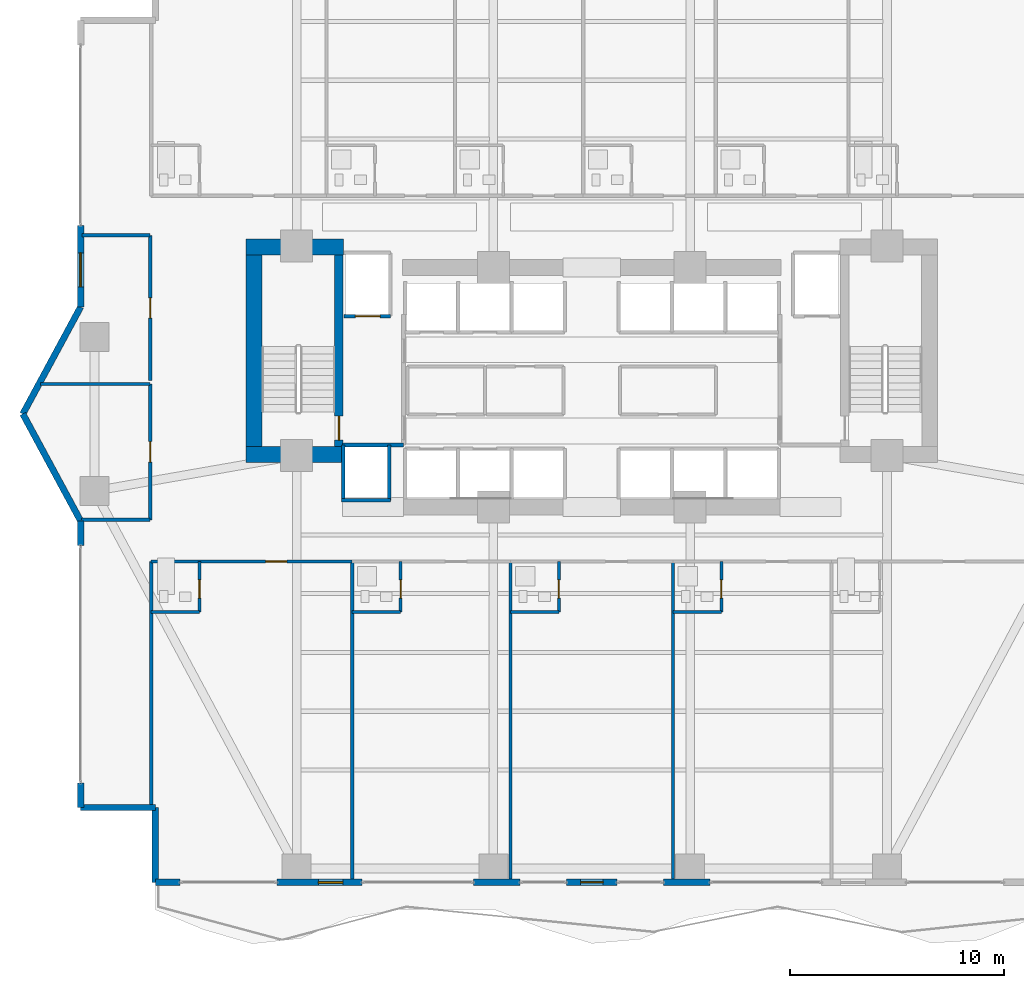
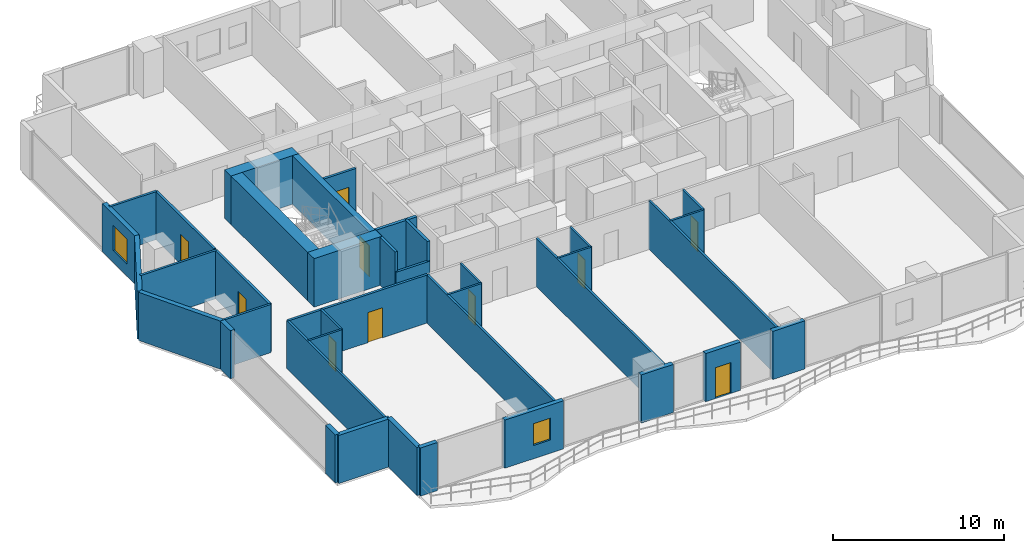
# One storey, part 21 of 29: 39 walls, 10 doors, 2 windows, 12 openings.
"""IFC4 building model written with IfcOpenShell, lengths in metres."""

from ifc_helpers import new_model, si_unit, direction, frame, frame_2d, origin, place, context, subcontext, project, spatial, rectangle, extrude, material, layer, layer_set, type_object, element, fill, save


model = new_model("IFC4")

# Units and contexts
model_context = context("Model", 3, precision=1e-05, world=origin(), true_north=direction((0.0, 1.0)))
body_context = subcontext(model_context, "Body", "Model", "MODEL_VIEW")
ifc_project = project(units=[si_unit("LENGTHUNIT", "METRE"), si_unit("AREAUNIT", "SQUARE_METRE"), si_unit("VOLUMEUNIT", "CUBIC_METRE"), si_unit("PLANEANGLEUNIT", "RADIAN"), si_unit("MASSUNIT", "GRAM", prefix="KILO")], contexts=[model_context])

# Site, building, storey
site_placement = place(None, origin())
site = spatial("IfcSite", under=ifc_project, at=site_placement, CompositionType="ELEMENT")
building_placement = place(site_placement, origin())
building = spatial("IfcBuilding", under=site, at=building_placement, Name="Zuhayl Quay Hotel", CompositionType="ELEMENT")
storey_placement = place(building_placement, frame((0.0, 0.0, 95.64990234375)))
storey = spatial("IfcBuildingStorey", under=building, at=storey_placement, Name="L23", CompositionType="ELEMENT", Elevation=95.64990234375)

# Walls
ifc_material_1 = material(Name="Concrete C60/75", Category="concrete")
ifc_layer_1 = layer(ifc_material_1, 0.75, Name="Concrete C60/75", Category="concrete")
ifc_layer_set_1 = layer_set([ifc_layer_1], Name="Concrete C60/75")
wall_type_1 = type_object("IfcWallType", Name="WL_CORE_750", PredefinedType="SHEAR", material=ifc_layer_set_1)
wall_1_placement = place(storey_placement, frame((-16.159912109375, 14.304931640625, 0.0), z_axis=(0.0, 0.0, 1.0), x_axis=(1.0, 0.0, 0.0)))
element("IfcWall", 1, at=wall_1_placement, inside=storey, type_object=wall_type_1, Name="L23 Core Shear Wall CW_NW", PredefinedType="SHEAR", context=body_context, shape_type="SweptSolid", body=[
    extrude(rectangle(XDim=4.559814453125, YDim=0.75, at=frame_2d((2.27978515625, 0.0))), origin(), (0.0, 0.0, 1.0), 3.460205078125),
])
wall_2_placement = place(storey_placement, frame((-15.784912109375, 4.969970703125, 0.0), z_axis=(0.0, 0.0, 1.0), x_axis=(0.0, 1.0, 0.0)))
element("IfcWall", 2, at=wall_2_placement, inside=storey, type_object=wall_type_1, Name="L23 Core Shear Wall CW_W", PredefinedType="SHEAR", context=body_context, shape_type="SweptSolid", body=[
    extrude(rectangle(XDim=8.9599609375, YDim=0.75, at=frame_2d((4.47998046875, 0.0))), origin(), (0.0, 0.0, 1.0), 3.460205078125),
])
wall_3_placement = place(storey_placement, frame((-16.159912109375, 4.594970703125, 0.0), z_axis=(0.0, 0.0, 1.0), x_axis=(1.0, 0.0, 0.0)))
element("IfcWall", 3, at=wall_3_placement, inside=storey, type_object=wall_type_1, Name="L23 Core Shear Wall CW_SW", PredefinedType="SHEAR", context=body_context, shape_type="SweptSolid", body=[
    extrude(rectangle(XDim=4.559814453125, YDim=0.75, at=frame_2d((2.27978515625, 0.0))), origin(), (0.0, 0.0, 1.0), 3.460205078125),
])
ifc_material_2 = material(Name="Precast concrete C45/55", Category="concrete")
ifc_layer_2 = layer(ifc_material_2, 0.300048828125, Name="Precast concrete C45/55", Category="concrete")
ifc_layer_set_2 = layer_set([ifc_layer_2], Name="Precast concrete C45/55")
wall_type_2 = type_object("IfcWallType", Name="WL_EXT_300", PredefinedType="STANDARD", material=ifc_layer_set_2)
wall_4_placement = place(storey_placement, frame((-20.39990234375, -11.89990234375, 0.0), z_axis=(0.0, 0.0, 1.0), x_axis=(-1.0, 0.0, 0.0)))
element("IfcWall", 4, at=wall_4_placement, inside=storey, type_object=wall_type_2, Name="L23 Exterior Precast Wall ENV_L23_EW01", PredefinedType="STANDARD", context=body_context, shape_type="SweptSolid", body=[
    extrude(rectangle(XDim=3.5, YDim=0.300048828125, at=frame_2d((1.75, 0.0))), origin(), (0.0, 0.0, 1.0), 3.43017578125),
])
for number, where, z_axis, x_axis, name in (
    (5, (-23.89990234375, -11.89990234375, 0.0), (0.0, 0.0, 1.0), (0.0, 1.0, 0.0), "L23 Exterior Precast Wall ENV_L23_E02_EW1"),
    (6, (-23.89990234375, 0.35009765625, 0.0), (0.0, 0.0, 1.0), (0.0, 1.0, 0.0), "L23 Exterior Precast Wall ENV_L23_E02_EW2"),
):
    element("IfcWall", number, at=place(storey_placement, frame(where, z_axis=z_axis, x_axis=x_axis)), inside=storey, type_object=wall_type_2, Name=name, PredefinedType="STANDARD", context=body_context, shape_type="SweptSolid", body=[
        extrude(rectangle(XDim=1.14990234375, YDim=0.300048828125, at=frame_2d((0.574951171875, 0.0))), origin(), (0.0, 0.0, 1.0), 3.43017578125),
    ])
for number, where, z_axis, x_axis, name in (
    (7, (-23.89990234375, 1.5, 0.0), (0.0, 0.0, 1.0), (-0.475175525499, 0.879891027325, 0.0), "L23 Exterior Precast Wall ENV_L23_EW03"),
    (8, (-26.60009765625, 6.5, 0.0), (0.0, 0.0, 1.0), (0.475175525499, 0.879891027325, 0.0), "L23 Exterior Precast Wall ENV_L23_EW04"),
):
    element("IfcWall", number, at=place(storey_placement, frame(where, z_axis=z_axis, x_axis=x_axis)), inside=storey, type_object=wall_type_2, Name=name, PredefinedType="STANDARD", context=body_context, shape_type="SweptSolid", body=[
        extrude(rectangle(XDim=5.6826171875, YDim=0.300048828125, at=frame_2d((2.84130859375, 0.0))), origin(), (0.0, 0.0, 1.0), 3.43017578125),
    ])

# Wall, opening, window
wall_5_placement = place(storey_placement, frame((-23.89990234375, 11.5, 0.0), z_axis=(0.0, 0.0, 1.0), x_axis=(0.0, 1.0, 0.0)))
wall_5 = element("IfcWall", 9, at=wall_5_placement, inside=storey, type_object=wall_type_2, Name="L23 Exterior Precast Wall ENV_L23_E05_EW1", PredefinedType="STANDARD", context=body_context, shape_type="SweptSolid", body=[
    extrude(rectangle(XDim=3.800048828125, YDim=0.300048828125, at=frame_2d((1.89990234375, 0.0))), origin(), (0.0, 0.0, 1.0), 3.43017578125),
])
opening_1_placement = place(wall_5_placement, frame((0.93505859375, 0.0, 0.85009765625)))
opening_1 = element("IfcOpeningElement", 10, at=opening_1_placement, cuts=wall_5, Name="Opening W01", PredefinedType="OPENING", context=body_context, shape_type="SweptSolid", body=[
    extrude(rectangle(XDim=1.60009765625, YDim=1.800048828125, at=frame_2d((0.800048828125, 0.89990234375))), frame((0.0, 0.159912109375, 0.0), z_axis=(0.0, -1.0, 0.0), x_axis=(1.0, 0.0, 0.0)), (0.0, 0.0, 1.0), 0.320068359375),
])
ifc_material_3 = material(Name="Dark Ceramic-Fritted Solar Glass", Category="glass")
window_type_1 = type_object("IfcWindowType", Name="WN_OPERABLE_1600", PartitioningType="DOUBLE_PANEL_VERTICAL", PredefinedType="WINDOW", material=ifc_material_3)
window_1_placement = place(opening_1_placement, origin())
window_1 = element("IfcWindow", 11, at=window_1_placement, inside=storey, type_object=window_type_1, Name="L23 Operable Facade Window 1-1", OverallHeight=1.800048828125, OverallWidth=1.60009765625, PartitioningType="SINGLE_PANEL", PredefinedType="WINDOW", context=body_context, shape_type="SweptSolid", body=[
    extrude(rectangle(XDim=1.60009765625, YDim=1.800048828125, at=frame_2d((0.800048828125, 0.89990234375))), frame((0.0, 0.030029296875, 0.0), z_axis=(0.0, -1.0, 0.0), x_axis=(1.0, 0.0, 0.0)), (0.0, 0.0, 1.0), 0.06005859375),
])
fill(opening_1, window_1)

# Wall
wall_6_placement = place(storey_placement, frame((5.52001953125, -15.39990234375, 0.0), z_axis=(0.0, 0.0, 1.0), x_axis=(-1.0, 0.0, 0.0)))
element("IfcWall", 12, at=wall_6_placement, inside=storey, type_object=wall_type_2, Name="L23 Exterior Precast Wall ENV_L23_S_EW3", PredefinedType="STANDARD", context=body_context, shape_type="SweptSolid", body=[
    extrude(rectangle(XDim=2.169921875, YDim=0.300048828125, at=frame_2d((1.0849609375, 0.0))), origin(), (0.0, 0.0, 1.0), 3.43017578125),
])

# Wall, opening, door
wall_7_placement = place(storey_placement, frame((1.175048828125, -15.39990234375, 0.0), z_axis=(0.0, 0.0, 1.0), x_axis=(-1.0, 0.0, 0.0)))
wall_7 = element("IfcWall", 13, at=wall_7_placement, inside=storey, type_object=wall_type_2, Name="L23 Exterior Precast Wall ENV_L23_S_EW4", PredefinedType="STANDARD", context=body_context, shape_type="SweptSolid", body=[
    extrude(rectangle(XDim=2.35009765625, YDim=0.300048828125, at=frame_2d((1.175048828125, 0.0))), origin(), (0.0, 0.0, 1.0), 3.43017578125),
])
opening_2_placement = place(wall_7_placement, frame((0.64990234375, 0.0, 0.0)))
opening_2 = element("IfcOpeningElement", 14, at=opening_2_placement, cuts=wall_7, Name="Opening DG1", PredefinedType="OPENING", context=body_context, shape_type="SweptSolid", body=[
    extrude(rectangle(XDim=1.050048828125, YDim=2.199951171875, at=frame_2d((0.52490234375, 1.10009765625))), frame((0.0, 0.159912109375, 0.0), z_axis=(0.0, -1.0, 0.0), x_axis=(1.0, 0.0, 0.0)), (0.0, 0.0, 1.0), 0.320068359375),
])
ifc_material_4 = material(Name="Anodised Aluminium and Dark Solar Glass", Category="aluminium")
door_type_1 = type_object("IfcDoorType", Name="DR_EXT_TERR_1050", OperationType="NOTDEFINED", PredefinedType="DOOR", material=ifc_material_4)
door_1_placement = place(opening_2_placement, origin())
door_1 = element("IfcDoor", 15, at=door_1_placement, inside=storey, type_object=door_type_1, Name="L23 South Rippling Balcony Door", OperationType="SINGLE_SWING_RIGHT", OverallHeight=2.199951171875, OverallWidth=1.050048828125, PredefinedType="DOOR", context=body_context, shape_type="SweptSolid", body=[
    extrude(rectangle(XDim=1.050048828125, YDim=2.199951171875, at=frame_2d((0.52490234375, 1.10009765625))), frame((0.0, 0.02490234375, 0.0), z_axis=(0.0, -1.0, 0.0), x_axis=(1.0, 0.0, 0.0)), (0.0, 0.0, 1.0), 0.050048828125),
])
fill(opening_2, door_1)

# Wall
wall_8_placement = place(storey_placement, frame((-3.35009765625, -15.39990234375, 0.0), z_axis=(0.0, 0.0, 1.0), x_axis=(-1.0, 0.0, 0.0)))
element("IfcWall", 16, at=wall_8_placement, inside=storey, type_object=wall_type_2, Name="L23 Exterior Precast Wall ENV_L23_S_EW5", PredefinedType="STANDARD", context=body_context, shape_type="SweptSolid", body=[
    extrude(rectangle(XDim=2.169921875, YDim=0.300048828125, at=frame_2d((1.0849609375, 0.0))), origin(), (0.0, 0.0, 1.0), 3.43017578125),
])

# Wall, opening, window
wall_9_placement = place(storey_placement, frame((-10.75, -15.39990234375, 0.0), z_axis=(0.0, 0.0, 1.0), x_axis=(-1.0, 0.0, 0.0)))
wall_9 = element("IfcWall", 17, at=wall_9_placement, inside=storey, type_object=wall_type_2, Name="L23 Exterior Precast Wall ENV_L23_S_EW6", PredefinedType="STANDARD", context=body_context, shape_type="SweptSolid", body=[
    extrude(rectangle(XDim=3.969970703125, YDim=0.300048828125, at=frame_2d((1.98486328125, 0.0))), origin(), (0.0, 0.0, 1.0), 3.43017578125),
])
opening_3_placement = place(wall_9_placement, frame((0.885009765625, 0.0, 0.949951171875)))
opening_3 = element("IfcOpeningElement", 18, at=opening_3_placement, cuts=wall_9, Name="Opening W01N", PredefinedType="OPENING", context=body_context, shape_type="SweptSolid", body=[
    extrude(rectangle(XDim=1.14990234375, YDim=1.550048828125, at=frame_2d((0.574951171875, 0.77490234375))), frame((0.0, 0.159912109375, 0.0), z_axis=(0.0, -1.0, 0.0), x_axis=(1.0, 0.0, 0.0)), (0.0, 0.0, 1.0), 0.320068359375),
])
window_type_2 = type_object("IfcWindowType", Name="WN_NOTCH_1350", PartitioningType="SINGLE_PANEL", PredefinedType="WINDOW", material=ifc_material_3)
window_2_placement = place(opening_3_placement, origin())
window_2 = element("IfcWindow", 19, at=window_2_placement, inside=storey, type_object=window_type_2, Name="L23 Operable Facade Window 6-1", OverallHeight=1.550048828125, OverallWidth=1.14990234375, PartitioningType="SINGLE_PANEL", PredefinedType="WINDOW", context=body_context, shape_type="SweptSolid", body=[
    extrude(rectangle(XDim=1.14990234375, YDim=1.550048828125, at=frame_2d((0.574951171875, 0.77490234375))), frame((0.0, 0.030029296875, 0.0), z_axis=(0.0, -1.0, 0.0), x_axis=(1.0, 0.0, 0.0)), (0.0, 0.0, 1.0), 0.06005859375),
])
fill(opening_3, window_2)

# Walls
wall_10_placement = place(storey_placement, frame((-19.25, -15.39990234375, 0.0), z_axis=(0.0, 0.0, 1.0), x_axis=(-1.0, 0.0, 0.0)))
element("IfcWall", 20, at=wall_10_placement, inside=storey, type_object=wall_type_2, Name="L23 Exterior Precast Wall ENV_L23_S_EW7", PredefinedType="STANDARD", context=body_context, shape_type="SweptSolid", body=[
    extrude(rectangle(XDim=1.14990234375, YDim=0.300048828125, at=frame_2d((0.574951171875, 0.0))), origin(), (0.0, 0.0, 1.0), 3.43017578125),
])
wall_11_placement = place(storey_placement, frame((-20.39990234375, -15.39990234375, 0.0), z_axis=(0.0, 0.0, 1.0), x_axis=(0.0, 1.0, 0.0)))
element("IfcWall", 21, at=wall_11_placement, inside=storey, type_object=wall_type_2, Name="L23 Exterior Precast Wall ENV_L23_EW18", PredefinedType="STANDARD", context=body_context, shape_type="SweptSolid", body=[
    extrude(rectangle(XDim=3.5, YDim=0.300048828125, at=frame_2d((1.75, 0.0))), origin(), (0.0, 0.0, 1.0), 3.43017578125),
])
ifc_material_5 = material(Name="Acoustic Gypsum Partition STC-58")
ifc_layer_3 = layer(ifc_material_5, 0.14990234375, Name="Acoustic Gypsum Partition STC-58")
ifc_layer_set_3 = layer_set([ifc_layer_3], Name="Acoustic Gypsum Partition STC-58")
wall_type_3 = type_object("IfcWallType", Name="WL_PART_150", PredefinedType="PARTITIONING", material=ifc_layer_set_3)
wall_12_placement = place(storey_placement, frame((-20.60009765625, -11.89990234375, 0.0), z_axis=(0.0, 0.0, 1.0), x_axis=(0.0, 1.0, 0.0)))
element("IfcWall", 22, at=wall_12_placement, inside=storey, type_object=wall_type_3, Name="L23 Partition IW_L23_SU01_W", PredefinedType="PARTITIONING", context=body_context, shape_type="SweptSolid", body=[
    extrude(rectangle(XDim=11.5, YDim=0.14990234375, at=frame_2d((5.75, 0.0))), origin(), (0.0, 0.0, 1.0), 3.43017578125),
])
for number, where, z_axis, x_axis, name in (
    (23, (-11.199951171875, -15.320068359375, 0.0), (0.0, 0.0, 1.0), (0.0, 1.0, 0.0), "L23 Partition IW_L23_SU01_E"),
    (24, (-3.800048828125, -15.320068359375, 0.0), (0.0, 0.0, 1.0), (0.0, 1.0, 0.0), "L23 Partition IW_L23_SU02_E"),
    (25, (3.800048828125, -15.320068359375, 0.0), (0.0, 0.0, 1.0), (0.0, 1.0, 0.0), "L23 Partition IW_L23_SU03_E"),
):
    element("IfcWall", number, at=place(storey_placement, frame(where, z_axis=z_axis, x_axis=x_axis)), inside=storey, type_object=wall_type_3, Name=name, PredefinedType="PARTITIONING", context=body_context, shape_type="SweptSolid", body=[
        extrude(rectangle(XDim=14.920166015625, YDim=0.14990234375, at=frame_2d((7.4599609375, 0.0))), origin(), (0.0, 0.0, 1.0), 3.43017578125),
    ])
wall_13_placement = place(storey_placement, frame((-23.866943359375, 1.550048828125, 0.0), z_axis=(0.0, 0.0, 1.0), x_axis=(1.0, 0.0, 0.0)))
element("IfcWall", 26, at=wall_13_placement, inside=storey, type_object=wall_type_3, Name="L23 Partition IW_L23_WPROW_1_S", PredefinedType="PARTITIONING", context=body_context, shape_type="SweptSolid", body=[
    extrude(rectangle(XDim=3.217041015625, YDim=0.14990234375, at=frame_2d((1.6083984375, 0.0))), origin(), (0.0, 0.0, 1.0), 3.43017578125),
])
wall_14_placement = place(storey_placement, frame((-25.783935546875, 7.89990234375, 0.0), z_axis=(0.0, 0.0, 1.0), x_axis=(1.0, 0.0, 0.0)))
element("IfcWall", 27, at=wall_14_placement, inside=storey, type_object=wall_type_3, Name="L23 Partition IW_L23_WPROW_1_N", PredefinedType="PARTITIONING", context=body_context, shape_type="SweptSolid", body=[
    extrude(rectangle(XDim=5.134033203125, YDim=0.14990234375, at=frame_2d((2.56689453125, 0.0))), origin(), (0.0, 0.0, 1.0), 3.43017578125),
])
wall_15_placement = place(storey_placement, frame((-23.840087890625, 14.85009765625, 0.0), z_axis=(0.0, 0.0, 1.0), x_axis=(1.0, 0.0, 0.0)))
element("IfcWall", 28, at=wall_15_placement, inside=storey, type_object=wall_type_3, Name="L23 Partition IW_L23_WPROW_2_N", PredefinedType="PARTITIONING", context=body_context, shape_type="SweptSolid", body=[
    extrude(rectangle(XDim=3.190185546875, YDim=0.14990234375, at=frame_2d((1.59521484375, 0.0))), origin(), (0.0, 0.0, 1.0), 3.43017578125),
])

# Wall, opening, door
ifc_layer_4 = layer(ifc_material_5, 0.159912109375, Name="Acoustic Gypsum Partition STC-58")
ifc_layer_set_4 = layer_set([ifc_layer_4], Name="Acoustic Gypsum Partition STC-58")
wall_type_4 = type_object("IfcWallType", Name="WL_PART_CORR_160", PredefinedType="PARTITIONING", material=ifc_layer_set_4)
wall_16_placement = place(storey_placement, frame((-20.60009765625, -0.39990234375, 0.0), z_axis=(0.0, 0.0, 1.0), x_axis=(1.0, 0.0, 0.0)))
wall_16 = element("IfcWall", 29, at=wall_16_placement, inside=storey, type_object=wall_type_4, Name="L23 Partition IW_L23_SU01_COR", PredefinedType="PARTITIONING", context=body_context, shape_type="SweptSolid", body=[
    extrude(rectangle(XDim=9.400146484375, YDim=0.159912109375, at=frame_2d((4.7001953125, 0.0))), origin(), (0.0, 0.0, 1.0), 3.43017578125),
])
opening_4_placement = place(wall_16_placement, frame((5.35009765625, 0.0, 0.0)))
opening_4 = element("IfcOpeningElement", 30, at=opening_4_placement, cuts=wall_16, Name="Opening D03L", PredefinedType="OPENING", context=body_context, shape_type="SweptSolid", body=[
    extrude(rectangle(XDim=1.0, YDim=2.14990234375, at=frame_2d((0.5, 1.074951171875))), frame((0.0, 0.08984375, 0.0), z_axis=(0.0, -1.0, 0.0), x_axis=(1.0, 0.0, 0.0)), (0.0, 0.0, 1.0), 0.179931640625),
])
ifc_material_6 = material(Name="Solid Walnut Acoustic Fire Door")
door_type_2 = type_object("IfcDoorType", Name="DR_SUITE_1000", OperationType="NOTDEFINED", PredefinedType="DOOR", material=ifc_material_6)
door_2_placement = place(opening_4_placement, origin())
door_2 = element("IfcDoor", 31, at=door_2_placement, inside=storey, type_object=door_type_2, Name="L23 City-View Junior Suite L23-01 Entrance Door", OperationType="SINGLE_SWING_LEFT", OverallHeight=2.14990234375, OverallWidth=1.0, PredefinedType="DOOR", context=body_context, shape_type="SweptSolid", body=[
    extrude(rectangle(XDim=1.0, YDim=2.14990234375, at=frame_2d((0.5, 1.074951171875))), frame((0.0, 0.02490234375, 0.0), z_axis=(0.0, -1.0, 0.0), x_axis=(1.0, 0.0, 0.0)), (0.0, 0.0, 1.0), 0.050048828125),
])
fill(opening_4, door_2)

wall_17_placement = place(storey_placement, frame((-20.64990234375, 1.550048828125, 0.0), z_axis=(0.0, 0.0, 1.0), x_axis=(0.0, 1.0, 0.0)))
wall_17 = element("IfcWall", 32, at=wall_17_placement, inside=storey, type_object=wall_type_4, Name="L23 Partition IW_L23_WPROW_1_E", PredefinedType="PARTITIONING", context=body_context, shape_type="SweptSolid", body=[
    extrude(rectangle(XDim=6.349853515625, YDim=0.159912109375, at=frame_2d((3.1748046875, 0.0))), origin(), (0.0, 0.0, 1.0), 3.43017578125),
])
opening_5_placement = place(wall_17_placement, frame((2.699951171875, 0.0, 0.0)))
opening_5 = element("IfcOpeningElement", 33, at=opening_5_placement, cuts=wall_17, Name="Opening D03", PredefinedType="OPENING", context=body_context, shape_type="SweptSolid", body=[
    extrude(rectangle(XDim=0.949951171875, YDim=2.14990234375, at=frame_2d((0.47509765625, 1.074951171875))), frame((0.0, 0.08984375, 0.0), z_axis=(0.0, -1.0, 0.0), x_axis=(1.0, 0.0, 0.0)), (0.0, 0.0, 1.0), 0.179931640625),
])
door_type_3 = type_object("IfcDoorType", Name="DR_SUITE_950", OperationType="NOTDEFINED", PredefinedType="DOOR", material=ifc_material_6)
door_3_placement = place(opening_5_placement, origin())
door_3 = element("IfcDoor", 34, at=door_3_placement, inside=storey, type_object=door_type_3, Name="L23 West Prow Office L23 Door", OperationType="SINGLE_SWING_RIGHT", OverallHeight=2.14990234375, OverallWidth=0.949951171875, PredefinedType="DOOR", context=body_context, shape_type="SweptSolid", body=[
    extrude(rectangle(XDim=0.949951171875, YDim=2.14990234375, at=frame_2d((0.47509765625, 1.074951171875))), frame((0.0, 0.02490234375, 0.0), z_axis=(0.0, -1.0, 0.0), x_axis=(1.0, 0.0, 0.0)), (0.0, 0.0, 1.0), 0.050048828125),
])
fill(opening_5, door_3)

wall_18_placement = place(storey_placement, frame((-20.64990234375, 8.06005859375, 0.0), z_axis=(0.0, 0.0, 1.0), x_axis=(0.0, 1.0, 0.0)))
wall_18 = element("IfcWall", 35, at=wall_18_placement, inside=storey, type_object=wall_type_4, Name="L23 Partition IW_L23_WPROW_2_E", PredefinedType="PARTITIONING", context=body_context, shape_type="SweptSolid", body=[
    extrude(rectangle(XDim=6.7900390625, YDim=0.159912109375, at=frame_2d((3.39501953125, 0.0))), origin(), (0.0, 0.0, 1.0), 3.43017578125),
])
opening_6_placement = place(wall_18_placement, frame((2.919921875, 0.0, 0.0)))
opening_6 = element("IfcOpeningElement", 36, at=opening_6_placement, cuts=wall_18, Name="Opening D03", PredefinedType="OPENING", context=body_context, shape_type="SweptSolid", body=[
    extrude(rectangle(XDim=0.949951171875, YDim=2.14990234375, at=frame_2d((0.47509765625, 1.074951171875))), frame((0.0, 0.08984375, 0.0), z_axis=(0.0, -1.0, 0.0), x_axis=(1.0, 0.0, 0.0)), (0.0, 0.0, 1.0), 0.179931640625),
])
door_4_placement = place(opening_6_placement, origin())
door_4 = element("IfcDoor", 37, at=door_4_placement, inside=storey, type_object=door_type_3, Name="L23 Sunset Lounge L23 Door", OperationType="SINGLE_SWING_LEFT", OverallHeight=2.14990234375, OverallWidth=0.949951171875, PredefinedType="DOOR", context=body_context, shape_type="SweptSolid", body=[
    extrude(rectangle(XDim=0.949951171875, YDim=2.14990234375, at=frame_2d((0.47509765625, 1.074951171875))), frame((0.0, 0.02490234375, 0.0), z_axis=(0.0, -1.0, 0.0), x_axis=(1.0, 0.0, 0.0)), (0.0, 0.0, 1.0), 0.050048828125),
])
fill(opening_6, door_4)

ifc_material_7 = material(Name="Moisture-Resistant Sanitarychase Gypsum")
ifc_layer_5 = layer(ifc_material_7, 0.135009765625, Name="Moisture-Resistant Sanitarychase Gypsum")
ifc_layer_set_5 = layer_set([ifc_layer_5], Name="Moisture-Resistant Sanitarychase Gypsum")
wall_type_5 = type_object("IfcWallType", Name="WL_PART_PLUMB_150", PredefinedType="PLUMBINGWALL", material=ifc_layer_set_5)
wall_19_placement = place(storey_placement, frame((-18.340087890625, -2.760009765625, 0.0), z_axis=(0.0, 0.0, 1.0), x_axis=(0.0, 1.0, 0.0)))
wall_19 = element("IfcWall", 38, at=wall_19_placement, inside=storey, type_object=wall_type_5, Name="L23 Partition IW_L23_SU01_BE", PredefinedType="PLUMBINGWALL", context=body_context, shape_type="SweptSolid", body=[
    extrude(rectangle(XDim=2.360107421875, YDim=0.135009765625, at=frame_2d((1.18017578125, 0.0))), origin(), (0.0, 0.0, 1.0), 3.43017578125),
])
opening_7_placement = place(wall_19_placement, frame((0.64990234375, 0.0, 0.0)))
opening_7 = element("IfcOpeningElement", 39, at=opening_7_placement, cuts=wall_19, Name="Opening D04", PredefinedType="OPENING", context=body_context, shape_type="SweptSolid", body=[
    extrude(rectangle(XDim=0.85009765625, YDim=2.10009765625, at=frame_2d((0.425048828125, 1.050048828125))), frame((0.0, 0.077392578125, 0.0), z_axis=(0.0, -1.0, 0.0), x_axis=(1.0, 0.0, 0.0)), (0.0, 0.0, 1.0), 0.155029296875),
])
ifc_material_8 = material(Name="Moisture-Resistant Walnut Veneer")
door_type_4 = type_object("IfcDoorType", Name="DR_BATH_850", OperationType="NOTDEFINED", PredefinedType="DOOR", material=ifc_material_8)
door_5_placement = place(opening_7_placement, origin())
door_5 = element("IfcDoor", 40, at=door_5_placement, inside=storey, type_object=door_type_4, Name="L23 City-View Junior Suite L23-01 En-Suite Door", OperationType="SINGLE_SWING_RIGHT", OverallHeight=2.10009765625, OverallWidth=0.85009765625, PredefinedType="DOOR", context=body_context, shape_type="SweptSolid", body=[
    extrude(rectangle(XDim=0.85009765625, YDim=2.10009765625, at=frame_2d((0.425048828125, 1.050048828125))), frame((0.0, 0.02490234375, 0.0), z_axis=(0.0, -1.0, 0.0), x_axis=(1.0, 0.0, 0.0)), (0.0, 0.0, 1.0), 0.050048828125),
])
fill(opening_7, door_5)

wall_20_placement = place(storey_placement, frame((-8.93994140625, -2.760009765625, 0.0), z_axis=(0.0, 0.0, 1.0), x_axis=(0.0, 1.0, 0.0)))
wall_20 = element("IfcWall", 41, at=wall_20_placement, inside=storey, type_object=wall_type_5, Name="L23 Partition IW_L23_SU02_BE", PredefinedType="PLUMBINGWALL", context=body_context, shape_type="SweptSolid", body=[
    extrude(rectangle(XDim=2.360107421875, YDim=0.135009765625, at=frame_2d((1.18017578125, 0.0))), origin(), (0.0, 0.0, 1.0), 3.43017578125),
])
opening_8_placement = place(wall_20_placement, frame((0.64990234375, 0.0, 0.0)))
opening_8 = element("IfcOpeningElement", 42, at=opening_8_placement, cuts=wall_20, Name="Opening D04", PredefinedType="OPENING", context=body_context, shape_type="SweptSolid", body=[
    extrude(rectangle(XDim=0.85009765625, YDim=2.10009765625, at=frame_2d((0.425048828125, 1.050048828125))), frame((0.0, 0.077392578125, 0.0), z_axis=(0.0, -1.0, 0.0), x_axis=(1.0, 0.0, 0.0)), (0.0, 0.0, 1.0), 0.155029296875),
])
door_6_placement = place(opening_8_placement, origin())
door_6 = element("IfcDoor", 43, at=door_6_placement, inside=storey, type_object=door_type_4, Name="L23 City-View Junior Suite L23-02 En-Suite Door", OperationType="SINGLE_SWING_RIGHT", OverallHeight=2.10009765625, OverallWidth=0.85009765625, PredefinedType="DOOR", context=body_context, shape_type="SweptSolid", body=[
    extrude(rectangle(XDim=0.85009765625, YDim=2.10009765625, at=frame_2d((0.425048828125, 1.050048828125))), frame((0.0, 0.02490234375, 0.0), z_axis=(0.0, -1.0, 0.0), x_axis=(1.0, 0.0, 0.0)), (0.0, 0.0, 1.0), 0.050048828125),
])
fill(opening_8, door_6)

wall_21_placement = place(storey_placement, frame((-1.5400390625, -2.760009765625, 0.0), z_axis=(0.0, 0.0, 1.0), x_axis=(0.0, 1.0, 0.0)))
wall_21 = element("IfcWall", 44, at=wall_21_placement, inside=storey, type_object=wall_type_5, Name="L23 Partition IW_L23_SU03_BE", PredefinedType="PLUMBINGWALL", context=body_context, shape_type="SweptSolid", body=[
    extrude(rectangle(XDim=2.360107421875, YDim=0.135009765625, at=frame_2d((1.18017578125, 0.0))), origin(), (0.0, 0.0, 1.0), 3.43017578125),
])
opening_9_placement = place(wall_21_placement, frame((0.64990234375, 0.0, 0.0)))
opening_9 = element("IfcOpeningElement", 45, at=opening_9_placement, cuts=wall_21, Name="Opening D04", PredefinedType="OPENING", context=body_context, shape_type="SweptSolid", body=[
    extrude(rectangle(XDim=0.85009765625, YDim=2.10009765625, at=frame_2d((0.425048828125, 1.050048828125))), frame((0.0, 0.077392578125, 0.0), z_axis=(0.0, -1.0, 0.0), x_axis=(1.0, 0.0, 0.0)), (0.0, 0.0, 1.0), 0.155029296875),
])
door_7_placement = place(opening_9_placement, origin())
door_7 = element("IfcDoor", 46, at=door_7_placement, inside=storey, type_object=door_type_4, Name="L23 City-View Junior Suite L23-03 En-Suite Door", OperationType="SINGLE_SWING_RIGHT", OverallHeight=2.10009765625, OverallWidth=0.85009765625, PredefinedType="DOOR", context=body_context, shape_type="SweptSolid", body=[
    extrude(rectangle(XDim=0.85009765625, YDim=2.10009765625, at=frame_2d((0.425048828125, 1.050048828125))), frame((0.0, 0.02490234375, 0.0), z_axis=(0.0, -1.0, 0.0), x_axis=(1.0, 0.0, 0.0)), (0.0, 0.0, 1.0), 0.050048828125),
])
fill(opening_9, door_7)

wall_22_placement = place(storey_placement, frame((6.06005859375, -2.760009765625, 0.0), z_axis=(0.0, 0.0, 1.0), x_axis=(0.0, 1.0, 0.0)))
wall_22 = element("IfcWall", 47, at=wall_22_placement, inside=storey, type_object=wall_type_5, Name="L23 Partition IW_L23_SU04_BE", PredefinedType="PLUMBINGWALL", context=body_context, shape_type="SweptSolid", body=[
    extrude(rectangle(XDim=2.360107421875, YDim=0.135009765625, at=frame_2d((1.18017578125, 0.0))), origin(), (0.0, 0.0, 1.0), 3.43017578125),
])
opening_10_placement = place(wall_22_placement, frame((0.64990234375, 0.0, 0.0)))
opening_10 = element("IfcOpeningElement", 48, at=opening_10_placement, cuts=wall_22, Name="Opening D04", PredefinedType="OPENING", context=body_context, shape_type="SweptSolid", body=[
    extrude(rectangle(XDim=0.85009765625, YDim=2.10009765625, at=frame_2d((0.425048828125, 1.050048828125))), frame((0.0, 0.077392578125, 0.0), z_axis=(0.0, -1.0, 0.0), x_axis=(1.0, 0.0, 0.0)), (0.0, 0.0, 1.0), 0.155029296875),
])
door_8_placement = place(opening_10_placement, origin())
door_8 = element("IfcDoor", 49, at=door_8_placement, inside=storey, type_object=door_type_4, Name="L23 City-View Junior Suite L23-04 En-Suite Door", OperationType="SINGLE_SWING_RIGHT", OverallHeight=2.10009765625, OverallWidth=0.85009765625, PredefinedType="DOOR", context=body_context, shape_type="SweptSolid", body=[
    extrude(rectangle(XDim=0.85009765625, YDim=2.10009765625, at=frame_2d((0.425048828125, 1.050048828125))), frame((0.0, 0.02490234375, 0.0), z_axis=(0.0, -1.0, 0.0), x_axis=(1.0, 0.0, 0.0)), (0.0, 0.0, 1.0), 0.050048828125),
])
fill(opening_10, door_8)

# Walls
for number, where, z_axis, x_axis, name in (
    (50, (-20.60009765625, -2.760009765625, 0.0), (0.0, 0.0, 1.0), (1.0, 0.0, 0.0), "L23 Partition IW_L23_SU01_BS"),
    (51, (-11.199951171875, -2.760009765625, 0.0), (0.0, 0.0, 1.0), (1.0, 0.0, 0.0), "L23 Partition IW_L23_SU02_BS"),
    (52, (-3.800048828125, -2.760009765625, 0.0), (0.0, 0.0, 1.0), (1.0, 0.0, 0.0), "L23 Partition IW_L23_SU03_BS"),
    (53, (3.800048828125, -2.760009765625, 0.0), (0.0, 0.0, 1.0), (1.0, 0.0, 0.0), "L23 Partition IW_L23_SU04_BS"),
):
    element("IfcWall", number, at=place(storey_placement, frame(where, z_axis=z_axis, x_axis=x_axis)), inside=storey, type_object=wall_type_5, Name=name, PredefinedType="PLUMBINGWALL", context=body_context, shape_type="SweptSolid", body=[
        extrude(rectangle(XDim=2.260009765625, YDim=0.135009765625, at=frame_2d((1.1298828125, 0.0))), origin(), (0.0, 0.0, 1.0), 3.43017578125),
    ])

# Wall, opening, door
ifc_material_9 = material(Name="Gypsum Fireboard Assembly EI-90")
ifc_layer_6 = layer(ifc_material_9, 0.1650390625, Name="Gypsum Fireboard Assembly EI-90")
ifc_layer_set_6 = layer_set([ifc_layer_6], Name="Gypsum Fireboard Assembly EI-90")
wall_type_6 = type_object("IfcWallType", Name="WL_PART_SHAFT_160", PredefinedType="PARTITIONING", material=ifc_layer_set_6)
wall_23_placement = place(storey_placement, frame((-11.580078125, 11.070068359375, 0.0), z_axis=(0.0, 0.0, 1.0), x_axis=(1.0, 0.0, 0.0)))
wall_23 = element("IfcWall", 54, at=wall_23_placement, inside=storey, type_object=wall_type_6, Name="L23 Partition IW_L23_SH_FL1_F", PredefinedType="PARTITIONING", context=body_context, shape_type="SweptSolid", body=[
    extrude(rectangle(XDim=2.16015625, YDim=0.1650390625, at=frame_2d((1.080078125, 0.0))), origin(), (0.0, 0.0, 1.0), 3.43017578125),
])
opening_11_placement = place(wall_23_placement, frame((0.530029296875, 0.0, 0.0)))
opening_11 = element("IfcOpeningElement", 55, at=opening_11_placement, cuts=wall_23, Name="Opening LD2", PredefinedType="OPENING", context=body_context, shape_type="SweptSolid", body=[
    extrude(rectangle(XDim=1.14990234375, YDim=2.25, at=frame_2d((0.574951171875, 1.125))), frame((0.0, 0.092529296875, 0.0), z_axis=(0.0, -1.0, 0.0), x_axis=(1.0, 0.0, 0.0)), (0.0, 0.0, 1.0), 0.18505859375),
])
ifc_material_10 = material(Name="Brushed Stainless Steel", Category="steel")
door_type_5 = type_object("IfcDoorType", Name="DR_LIFT_FF_1100", OperationType="SLIDING_TO_LEFT", PredefinedType="DOOR", material=ifc_material_10)
door_9_placement = place(opening_11_placement, origin())
door_9 = element("IfcDoor", 56, at=door_9_placement, inside=storey, type_object=door_type_5, Name="L23 Lift FL1 Sliding Landing Door", OperationType="SLIDING_TO_LEFT", OverallHeight=2.25, OverallWidth=1.14990234375, PredefinedType="DOOR", context=body_context, shape_type="SweptSolid", body=[
    extrude(rectangle(XDim=1.14990234375, YDim=2.25, at=frame_2d((0.574951171875, 1.125))), frame((0.0, 0.02490234375, 0.0), z_axis=(0.0, -1.0, 0.0), x_axis=(1.0, 0.0, 0.0)), (0.0, 0.0, 1.0), 0.050048828125),
])
fill(opening_11, door_9)

# Walls
wall_24_placement = place(storey_placement, frame((-11.6298828125, 2.469970703125, 0.0), z_axis=(0.0, 0.0, 1.0), x_axis=(0.0, 1.0, 0.0)))
element("IfcWall", 57, at=wall_24_placement, inside=storey, type_object=wall_type_6, Name="L23 Partition IW_L23_RISER_W", PredefinedType="PARTITIONING", context=body_context, shape_type="SweptSolid", body=[
    extrude(rectangle(XDim=2.580078125, YDim=0.1650390625, at=frame_2d((1.2900390625, 0.0))), origin(), (0.0, 0.0, 1.0), 3.43017578125),
])
wall_25_placement = place(storey_placement, frame((-11.7099609375, 2.469970703125, 0.0), z_axis=(0.0, 0.0, 1.0), x_axis=(1.0, 0.0, 0.0)))
element("IfcWall", 58, at=wall_25_placement, inside=storey, type_object=wall_type_6, Name="L23 Partition IW_L23_RISER_S", PredefinedType="PARTITIONING", context=body_context, shape_type="SweptSolid", body=[
    extrude(rectangle(XDim=2.31005859375, YDim=0.1650390625, at=frame_2d((1.155029296875, 0.0))), origin(), (0.0, 0.0, 1.0), 2.030029296875),
])
ifc_layer_7 = layer(ifc_material_9, 0.179931640625, Name="Gypsum Fireboard Assembly EI-90")
ifc_layer_set_7 = layer_set([ifc_layer_7], Name="Gypsum Fireboard Assembly EI-90")
wall_type_7 = type_object("IfcWallType", Name="WL_PART_SHAFT_180", PredefinedType="PARTITIONING", material=ifc_layer_set_7)
wall_26_placement = place(storey_placement, frame((-9.469970703125, 2.449951171875, 0.0), z_axis=(0.0, 0.0, 1.0), x_axis=(0.0, 1.0, 0.0)))
element("IfcWall", 59, at=wall_26_placement, inside=storey, type_object=wall_type_7, Name="L23 Partition IW_L23_RISER_E", PredefinedType="PARTITIONING", context=body_context, shape_type="SweptSolid", body=[
    extrude(rectangle(XDim=2.60009765625, YDim=0.179931640625, at=frame_2d((1.300048828125, 0.0))), origin(), (0.0, 0.0, 1.0), 3.43017578125),
])
ifc_material_11 = material(Name="Gypsum Fireboard Assembly EI-120")
ifc_layer_8 = layer(ifc_material_11, 0.199951171875, Name="Gypsum Fireboard Assembly EI-120")
ifc_layer_set_8 = layer_set([ifc_layer_8], Name="Gypsum Fireboard Assembly EI-120")
wall_type_8 = type_object("IfcWallType", Name="WL_PART_SHAFT_200", PredefinedType="PARTITIONING", material=ifc_layer_set_8)
wall_27_placement = place(storey_placement, frame((-11.64990234375, 5.050048828125, 0.0), z_axis=(0.0, 0.0, 1.0), x_axis=(1.0, 0.0, 0.0)))
element("IfcWall", 60, at=wall_27_placement, inside=storey, type_object=wall_type_8, Name="L23 Partition IW_L23_FSAE_W_S", PredefinedType="PARTITIONING", context=body_context, shape_type="SweptSolid", body=[
    extrude(rectangle(XDim=2.849853515625, YDim=0.199951171875, at=frame_2d((1.4248046875, 0.0))), origin(), (0.0, 0.0, 1.0), 3.43017578125),
])

# Wall, opening, door
ifc_layer_9 = layer(ifc_material_1, 0.39990234375, Name="Concrete C60/75", Category="concrete")
ifc_layer_set_9 = layer_set([ifc_layer_9], Name="Concrete C60/75")
wall_type_9 = type_object("IfcWallType", Name="WL_STAIR_400", PredefinedType="SHEAR", material=ifc_layer_set_9)
wall_28_placement = place(storey_placement, frame((-11.820068359375, 4.969970703125, 0.0), z_axis=(0.0, 0.0, 1.0), x_axis=(0.0, 1.0, 0.0)))
wall_28 = element("IfcWall", 61, at=wall_28_placement, inside=storey, type_object=wall_type_9, Name="L23 Core Shear Wall SW_ST1", PredefinedType="SHEAR", context=body_context, shape_type="SweptSolid", body=[
    extrude(rectangle(XDim=8.9599609375, YDim=0.39990234375, at=frame_2d((4.47998046875, 0.0))), origin(), (0.0, 0.0, 1.0), 3.460205078125),
])
opening_12_placement = place(wall_28_placement, frame((0.31005859375, 0.0, 0.0)))
opening_12 = element("IfcOpeningElement", 62, at=opening_12_placement, cuts=wall_28, Name="Opening D01", PredefinedType="OPENING", context=body_context, shape_type="SweptSolid", body=[
    extrude(rectangle(XDim=1.1201171875, YDim=2.219970703125, at=frame_2d((0.56005859375, 1.10986328125))), frame((0.0, 0.2099609375, 0.0), z_axis=(0.0, -1.0, 0.0), x_axis=(1.0, 0.0, 0.0)), (0.0, 0.0, 1.0), 0.419921875),
])
ifc_material_12 = material(Name="Steel ASTM A992 Grade 50", Category="steel")
door_type_6 = type_object("IfcDoorType", Name="DR_STAIR_90_1100", OperationType="NOTDEFINED", PredefinedType="DOOR", material=ifc_material_12)
door_10_placement = place(opening_12_placement, origin())
door_10 = element("IfcDoor", 63, at=door_10_placement, inside=storey, type_object=door_type_6, Name="L23 Smokeproof Exit Stair ST1 Door", OperationType="SINGLE_SWING_LEFT", OverallHeight=2.219970703125, OverallWidth=1.1201171875, PredefinedType="DOOR", context=body_context, shape_type="SweptSolid", body=[
    extrude(rectangle(XDim=1.1201171875, YDim=2.219970703125, at=frame_2d((0.56005859375, 1.10986328125))), frame((0.0, 0.02490234375, 0.0), z_axis=(0.0, -1.0, 0.0), x_axis=(1.0, 0.0, 0.0)), (0.0, 0.0, 1.0), 0.050048828125),
])
fill(opening_12, door_10)

save(model, "model.ifc")
